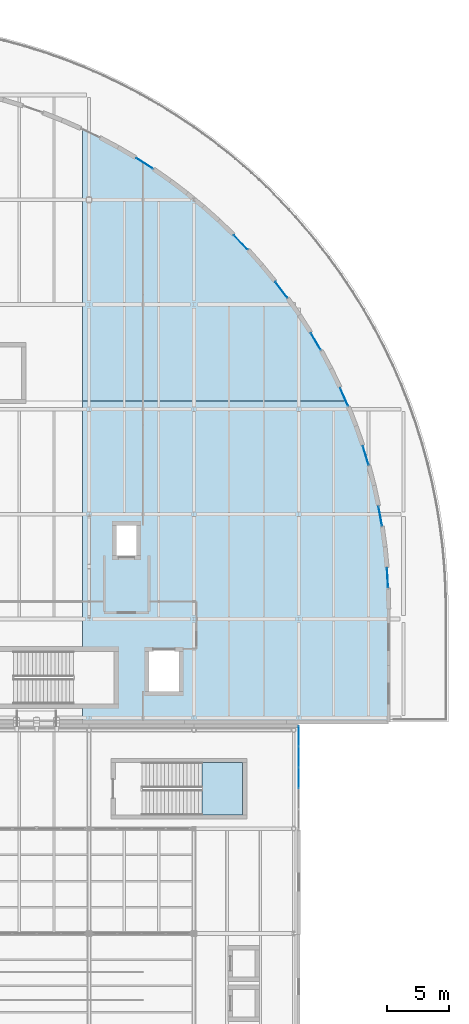
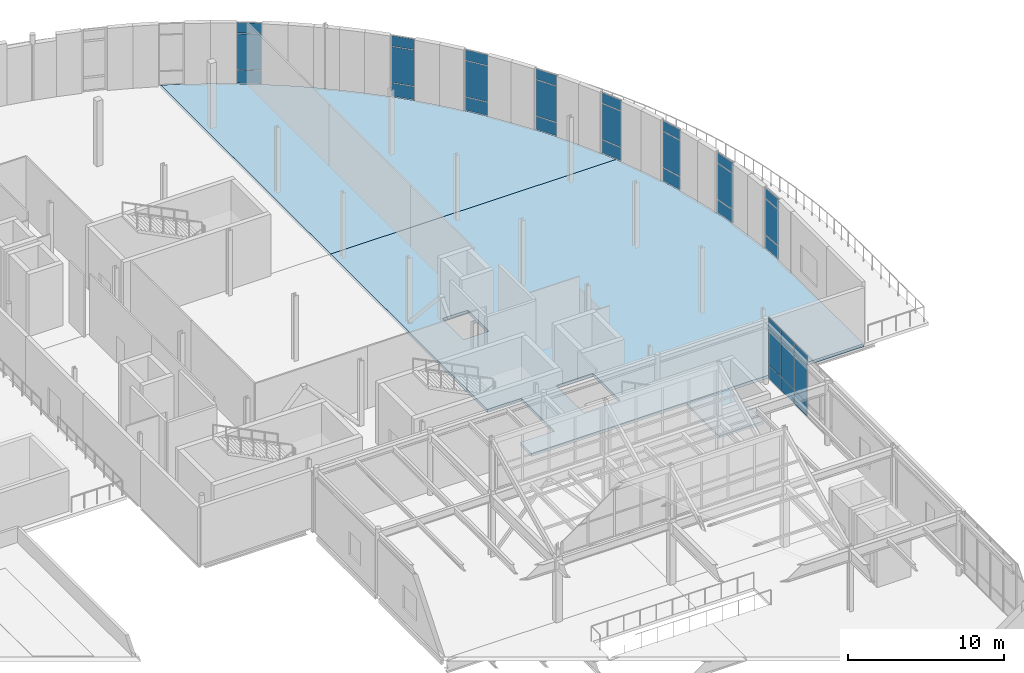
# One storey, part 64 of 91: 33 plates, 3 slabs, 10 elements without a shape of their own.
"""IFC4 building model written with IfcOpenShell, lengths in metres."""

import ifcopenshell
import ifcopenshell.guid

model = None  # the IFC model being written
_history = None  # IfcOwnerHistory: only IFC2X3 demands one
_inside = {}  # id of a spatial element -> (the spatial element, [elements in it])
_under = {}  # id of a project, library or spatial element -> (it, [spatial elements below it])
_declared = {}  # id of a project -> (the project, [libraries it declares])
_typed = {}  # id of a type object -> (the type object, [elements of that type])
_made_of = {}  # id of a material, layer set ... -> (it, [elements and type objects made of it])


def new_model(schema):
    """Start an empty IFC model of exactly this schema.

    Asked for "IFC4X3", IfcOpenShell would pick the latest addendum, in which some entities
    have other attributes; the version numbers below select the first issue.
    IFC2X3 requires an IfcOwnerHistory on every rooted entity: one is made here for all.
    """
    global model, _history
    if schema == "IFC4X3":
        model = ifcopenshell.file(schema_version=(4, 3, 0, 0))
    else:
        model = ifcopenshell.file(schema=schema)
    _inside.clear()
    _under.clear()
    _declared.clear()
    _typed.clear()
    _made_of.clear()
    _history = None
    if model.schema == "IFC2X3":
        org = make("IfcOrganization", Name="unknown")
        user = make(
            "IfcPersonAndOrganization",
            ThePerson=make("IfcPerson", FamilyName="unknown"),
            TheOrganization=org,
        )
        app = make(
            "IfcApplication",
            ApplicationDeveloper=org,
            Version="unknown",
            ApplicationFullName="unknown",
            ApplicationIdentifier="unknown",
        )
        _history = make(
            "IfcOwnerHistory",
            OwningUser=user,
            OwningApplication=app,
            ChangeAction="ADDED",
            CreationDate=0,
        )
    return model


def make(cls, **values):
    """One entity of the class cls with the attributes given. An attribute that is None is left unset."""
    return model.create_entity(
        cls, **{name: value for name, value in values.items() if value is not None}
    )


def rooted(cls, **values):
    """An entity with a GlobalId (a new one), such as an element, a storey or a relation."""
    return make(cls, GlobalId=ifcopenshell.guid.new(), OwnerHistory=_history, **values)


def si_unit(unit_type, name, prefix=None):
    """IfcSIUnit, for example si_unit("LENGTHUNIT", "METRE", prefix="MILLI")."""
    return make("IfcSIUnit", UnitType=unit_type, Prefix=prefix, Name=name)


def assignment(units):
    """IfcUnitAssignment: the units of a project."""
    return None if units is None else make("IfcUnitAssignment", Units=units)


def point(xyz):
    """IfcCartesianPoint."""
    return None if xyz is None else make("IfcCartesianPoint", Coordinates=xyz)


def direction(xyz):
    """IfcDirection."""
    return None if xyz is None else make("IfcDirection", DirectionRatios=xyz)


def frame(location, z_axis=None, x_axis=None):
    """IfcAxis2Placement3D, a coordinate frame: its origin and axes. An axis left out is left unset."""
    return make(
        "IfcAxis2Placement3D",
        Location=point(location),
        Axis=direction(z_axis),
        RefDirection=direction(x_axis),
    )


def frame_2d(location, x_axis=None):
    """IfcAxis2Placement2D, a coordinate frame in the plane: its origin and x axis."""
    return make(
        "IfcAxis2Placement2D", Location=point(location), RefDirection=direction(x_axis)
    )


def origin():
    """The frame at (0, 0, 0) with its axes left unset."""
    return frame((0.0, 0.0, 0.0))


def origin_2d():
    """The frame at (0, 0) in the plane with its x axis left unset."""
    return frame_2d((0.0, 0.0))


def place(relative_to, where):
    """IfcLocalPlacement: puts the frame where relative to a parent placement (None: the world)."""
    return make(
        "IfcLocalPlacement", PlacementRelTo=relative_to, RelativePlacement=where
    )


def context(
    kind, dimensions, precision=None, world=None, true_north=None, identifier=None
):
    """IfcGeometricRepresentationContext, for example the 3D "Model" context."""
    return make(
        "IfcGeometricRepresentationContext",
        ContextIdentifier=identifier,
        ContextType=kind,
        CoordinateSpaceDimension=dimensions,
        Precision=precision,
        WorldCoordinateSystem=world,
        TrueNorth=true_north,
    )


def subcontext(parent, identifier, kind, view, scale=None):
    """IfcGeometricRepresentationSubContext, for example "Body" below "Model"."""
    return make(
        "IfcGeometricRepresentationSubContext",
        ContextIdentifier=identifier,
        ContextType=kind,
        ParentContext=parent,
        TargetScale=scale,
        TargetView=view,
    )


def project(units=None, contexts=None):
    """IfcProject with its units and contexts."""
    return rooted(
        "IfcProject",
        Name="project",
        RepresentationContexts=contexts,
        UnitsInContext=assignment(units),
    )


def spatial(cls, under=None, at=None, **own):
    """A site, building, storey or space (cls), placed at a placement, below another one or the project."""
    s = rooted(cls, ObjectPlacement=at, **own)
    if under is not None:
        _under.setdefault(under.id(), (under, []))[1].append(s)
    return s


def polyline(points):
    """IfcPolyline through the points."""
    return make("IfcPolyline", Points=[point(p) for p in points])


def profile(cls, at=None, kind="AREA", **sizes):
    """A parametric profile (cls). Its sizes go by their IFC names, for example OverallWidth=200.0."""
    return make(cls, ProfileType=kind, Position=at, **sizes)


def rectangle(**sizes):
    """IfcRectangleProfileDef."""
    return profile("IfcRectangleProfileDef", **sizes)


def outline(outer, holes=None, kind="AREA"):
    """IfcArbitraryClosedProfileDef: a profile drawn as a closed curve; with holes, ...WithVoids."""
    if holes is None:
        return make("IfcArbitraryClosedProfileDef", ProfileType=kind, OuterCurve=outer)
    return make(
        "IfcArbitraryProfileDefWithVoids",
        ProfileType=kind,
        OuterCurve=outer,
        InnerCurves=holes,
    )


def extrude(swept, where, along, depth):
    """IfcExtrudedAreaSolid: the profile swept, set in the frame where, extruded along a direction by depth."""
    return make(
        "IfcExtrudedAreaSolid",
        SweptArea=swept,
        Position=where,
        ExtrudedDirection=direction(along),
        Depth=depth,
    )


def shape(context_of_items, identifier, shape_type, items):
    """IfcShapeRepresentation: the items that make up one representation, for example the "Body"."""
    return make(
        "IfcShapeRepresentation",
        ContextOfItems=context_of_items,
        RepresentationIdentifier=identifier,
        RepresentationType=shape_type,
        Items=items,
    )


def material(Name=None, Category=None):
    """IfcMaterial."""
    return make("IfcMaterial", Name=Name, Category=Category)


def layer(
    of_material, thickness, ventilated=None, Name=None, Category=None, Priority=None
):
    """IfcMaterialLayer: one layer of a wall or slab, of a material (None: an air gap)."""
    return make(
        "IfcMaterialLayer",
        Material=of_material,
        LayerThickness=thickness,
        IsVentilated=ventilated,
        Name=Name,
        Category=Category,
        Priority=Priority,
    )


def layer_set(layers, Name=None):
    """IfcMaterialLayerSet."""
    return make("IfcMaterialLayerSet", MaterialLayers=layers, LayerSetName=Name)


def made_of(thing, what):
    """Note that an element or type object is made of a material, layer set ...; save() writes the relation."""
    if what is not None:
        _made_of.setdefault(what.id(), (what, []))[1].append(thing)
    return thing


def type_object(cls, material=None, **own):
    """A type object (cls), such as IfcWallType, which elements share."""
    return made_of(rooted(cls, **own), material)


def element(
    cls,
    number,
    at=None,
    inside=None,
    cuts=None,
    type_object=None,
    material=None,
    context=None,
    identifier="Body",
    shape_type=None,
    held_by="IfcProductDefinitionShape",
    body=None,
    shapes=None,
    **own,
):
    """One element of the class cls, such as IfcWall. Its Tag is "e" and its number.

    at: its placement. inside: the storey or other place that contains it. cuts: it is an
    opening in that element (IfcRelVoidsElement). A single representation is given by context,
    identifier, shape_type and body (its items); several are given by shapes. held_by: the class
    of the entity that holds the representations. save() writes the other relations.
    """
    e = rooted(cls, Tag="e%d" % number, ObjectPlacement=at, **own)
    if body is not None:
        shapes = [shape(context, identifier, shape_type, body)]
    if shapes is not None:
        e.Representation = make(held_by, Representations=shapes)
    if inside is not None:
        _inside.setdefault(inside.id(), (inside, []))[1].append(e)
    if cuts is not None:
        rooted(
            "IfcRelVoidsElement", RelatingBuildingElement=cuts, RelatedOpeningElement=e
        )
    if type_object is not None:
        _typed.setdefault(type_object.id(), (type_object, []))[1].append(e)
    return made_of(e, material)


def aggregate(whole, parts):
    """IfcRelAggregates: a whole, such as a stair, and the parts it consists of."""
    return rooted("IfcRelAggregates", RelatingObject=whole, RelatedObjects=parts)


def save(model, path):
    """Write the relations noted so far, then the file.

    IfcRelAggregates (storeys below a building ...), IfcRelContainedInSpatialStructure (elements
    in a storey), IfcRelDefinesByType, IfcRelAssociatesMaterial and IfcRelDeclares: one each for
    every whole, place, type object, material and project.
    """
    for whole, parts in _under.values():
        aggregate(whole, parts)
    for where, things in _inside.values():
        rooted(
            "IfcRelContainedInSpatialStructure",
            RelatedElements=things,
            RelatingStructure=where,
        )
    for kind, things in _typed.values():
        rooted("IfcRelDefinesByType", RelatedObjects=things, RelatingType=kind)
    for what, things in _made_of.values():
        rooted("IfcRelAssociatesMaterial", RelatedObjects=things, RelatingMaterial=what)
    for by, libraries in _declared.values():
        rooted("IfcRelDeclares", RelatingContext=by, RelatedDefinitions=libraries)
    model.write(path)


model = new_model("IFC4")

# Units and contexts
model_context = context("Model", 3, precision=1e-05, world=origin(), true_north=direction((0.0, 1.0)))
body_context = subcontext(model_context, "Body", "Model", "MODEL_VIEW")
ifc_project = project(units=[si_unit("LENGTHUNIT", "METRE"), si_unit("AREAUNIT", "SQUARE_METRE"), si_unit("VOLUMEUNIT", "CUBIC_METRE"), si_unit("PLANEANGLEUNIT", "RADIAN"), si_unit("MASSUNIT", "GRAM", prefix="KILO"), si_unit("THERMODYNAMICTEMPERATUREUNIT", "KELVIN")], contexts=[model_context])

# Site, building, storey
site_placement = place(None, origin())
site = spatial("IfcSite", under=ifc_project, at=site_placement, CompositionType="ELEMENT")
building_placement = place(site_placement, origin())
building = spatial("IfcBuilding", under=site, at=building_placement, Name="Lustrewick Department Store", CompositionType="ELEMENT")
storey_placement = place(building_placement, frame((0.0, 0.0, 21.60009765625)))
storey = spatial("IfcBuildingStorey", under=building, at=storey_placement, Name="L05", CompositionType="ELEMENT", Elevation=21.60009765625)

# Curtain wall, plates
ifc_material_1 = material(Name="Thermally broken aluminium 6063-T5", Category="aluminium")
ifc_layer_1 = layer(ifc_material_1, 0.199951171875, Name="Thermally broken aluminium 6063-T5")
ifc_layer_set_1 = layer_set([ifc_layer_1], Name="Thermally broken aluminium 6063-T5")
curtain_wall_type_1 = type_object("IfcCurtainWallType", Name="CW01", PredefinedType="NOTDEFINED", material=ifc_layer_set_1)
curtain_wall_1_placement = place(storey_placement, origin())
curtain_wall_1 = element("IfcCurtainWall", 1, at=curtain_wall_1_placement, inside=storey, type_object=curtain_wall_type_1, Name="L05 V4 Curtain Wall CW01", PredefinedType="NOTDEFINED")
ifc_material_2 = material(Name="Low-E laminated safety glass", Category="glass")
ifc_layer_2 = layer(ifc_material_2, 0.02392578125, Name="Low-E laminated safety glass")
ifc_layer_set_2 = layer_set([ifc_layer_2], Name="Low-E laminated safety glass")
plate_type_1 = type_object("IfcPlateType", Name="CP01", PredefinedType="CURTAIN_PANEL", material=ifc_layer_set_2)
plate_1_placement = place(storey_placement, frame((158.318359375, 62.095703125, 0.06982421875), z_axis=(0.0, 0.0, 1.0), x_axis=(-0.058859332225, 0.998266286624, 0.0)))
plate_1 = element("IfcPlate", 2, at=plate_1_placement, type_object=plate_type_1, Name="CW01 panel 1.1", PredefinedType="CURTAIN_PANEL", context=body_context, shape_type="SweptSolid", body=[
    extrude(rectangle(XDim=1.52490234375, YDim=0.02392578125, at=origin_2d()), origin(), (0.0, 0.0, 1.0), 0.9951171875),
])
plate_2_placement = place(storey_placement, frame((158.318359375, 62.095703125, 1.135009765625), z_axis=(0.0, 0.0, 1.0), x_axis=(-0.058859332225, 0.998266286624, 0.0)))
plate_2 = element("IfcPlate", 3, at=plate_2_placement, type_object=plate_type_1, Name="CW01 panel 1.2", PredefinedType="CURTAIN_PANEL", context=body_context, shape_type="SweptSolid", body=[
    extrude(rectangle(XDim=1.52490234375, YDim=0.02392578125, at=origin_2d()), origin(), (0.0, 0.0, 1.0), 2.77490234375),
])
plate_3_placement = place(storey_placement, frame((158.318359375, 62.095703125, 3.97998046875), z_axis=(0.0, 0.0, 1.0), x_axis=(-0.058859332225, 0.998266286624, 0.0)))
plate_3 = element("IfcPlate", 4, at=plate_3_placement, type_object=plate_type_1, Name="CW01 panel 1.3", PredefinedType="CURTAIN_PANEL", context=body_context, shape_type="SweptSolid", body=[
    extrude(rectangle(XDim=1.52490234375, YDim=0.02392578125, at=origin_2d()), origin(), (0.0, 0.0, 1.0), 0.794921875),
])
aggregate(curtain_wall_1, [plate_1, plate_2, plate_3])

ifc_layer_3 = layer(ifc_material_1, 0.139892578125, Name="Thermally broken aluminium 6063-T5")
ifc_layer_set_3 = layer_set([ifc_layer_3], Name="Thermally broken aluminium 6063-T5")
curtain_wall_type_2 = type_object("IfcCurtainWallType", Name="CW06", PredefinedType="NOTDEFINED", material=ifc_layer_set_3)
curtain_wall_2_placement = place(storey_placement, origin())
curtain_wall_2 = element("IfcCurtainWall", 5, at=curtain_wall_2_placement, inside=storey, type_object=curtain_wall_type_2, Name="L05 V4 Curtain Wall CW06", PredefinedType="NOTDEFINED")
plate_4_placement = place(storey_placement, frame((149.7998046875, 85.185791015625, 0.054931640625), z_axis=(0.0, 0.0, 1.0), x_axis=(-0.603559299903, 0.79731811186, 0.0)))
plate_4 = element("IfcPlate", 6, at=plate_4_placement, type_object=plate_type_1, Name="CW06 panel 1.1", PredefinedType="CURTAIN_PANEL", context=body_context, shape_type="SweptSolid", body=[
    extrude(rectangle(XDim=1.554931640625, YDim=0.02392578125, at=origin_2d()), origin(), (0.0, 0.0, 1.0), 1.017578125),
])
plate_5_placement = place(storey_placement, frame((149.7998046875, 85.185791015625, 1.12744140625), z_axis=(0.0, 0.0, 1.0), x_axis=(-0.603559299903, 0.79731811186, 0.0)))
plate_5 = element("IfcPlate", 7, at=plate_5_placement, type_object=plate_type_1, Name="CW06 panel 1.2", PredefinedType="CURTAIN_PANEL", context=body_context, shape_type="SweptSolid", body=[
    extrude(rectangle(XDim=1.554931640625, YDim=0.02392578125, at=origin_2d()), origin(), (0.0, 0.0, 1.0), 2.7900390625),
])
plate_6_placement = place(storey_placement, frame((149.7998046875, 85.185791015625, 3.972412109375), z_axis=(0.0, 0.0, 1.0), x_axis=(-0.603559299903, 0.79731811186, 0.0)))
plate_6 = element("IfcPlate", 8, at=plate_6_placement, type_object=plate_type_1, Name="CW06 panel 1.3", PredefinedType="CURTAIN_PANEL", context=body_context, shape_type="SweptSolid", body=[
    extrude(rectangle(XDim=1.554931640625, YDim=0.02392578125, at=origin_2d()), origin(), (0.0, 0.0, 1.0), 0.8173828125),
])
aggregate(curtain_wall_2, [plate_4, plate_5, plate_6])

ifc_layer_4 = layer(ifc_material_1, 0.179931640625, Name="Thermally broken aluminium 6063-T5")
ifc_layer_set_4 = layer_set([ifc_layer_4], Name="Thermally broken aluminium 6063-T5")
curtain_wall_type_3 = type_object("IfcCurtainWallType", Name="CW02", PredefinedType="NOTDEFINED", material=ifc_layer_set_4)
curtain_wall_3_placement = place(storey_placement, origin())
curtain_wall_3 = element("IfcCurtainWall", 9, at=curtain_wall_3_placement, inside=storey, type_object=curtain_wall_type_3, Name="L05 V4 Curtain Wall CW02", PredefinedType="NOTDEFINED")
ifc_layer_5 = layer(ifc_material_2, 0.02587890625, Name="Low-E laminated safety glass")
ifc_layer_set_5 = layer_set([ifc_layer_5], Name="Low-E laminated safety glass")
plate_type_2 = type_object("IfcPlateType", Name="CP02", PredefinedType="CURTAIN_PANEL", material=ifc_layer_set_5)
plate_7_placement = place(storey_placement, frame((157.731689453125, 67.05224609375, 0.06494140625), z_axis=(0.0, 0.0, 1.0), x_axis=(-0.175803111289, 0.98442534814, 0.0)))
plate_7 = element("IfcPlate", 10, at=plate_7_placement, type_object=plate_type_2, Name="CW02 panel 1.1", PredefinedType="CURTAIN_PANEL", context=body_context, shape_type="SweptSolid", body=[
    extrude(rectangle(XDim=1.534912109375, YDim=0.02587890625, at=origin_2d()), origin(), (0.0, 0.0, 1.0), 1.00244140625),
])
plate_8_placement = place(storey_placement, frame((157.731689453125, 67.05224609375, 1.13232421875), z_axis=(0.0, 0.0, 1.0), x_axis=(-0.175803111289, 0.98442534814, 0.0)))
plate_8 = element("IfcPlate", 11, at=plate_8_placement, type_object=plate_type_2, Name="CW02 panel 1.2", PredefinedType="CURTAIN_PANEL", context=body_context, shape_type="SweptSolid", body=[
    extrude(rectangle(XDim=1.534912109375, YDim=0.02587890625, at=origin_2d()), origin(), (0.0, 0.0, 1.0), 2.780029296875),
])
plate_9_placement = place(storey_placement, frame((157.731689453125, 67.05224609375, 3.9775390625), z_axis=(0.0, 0.0, 1.0), x_axis=(-0.175803111289, 0.98442534814, 0.0)))
plate_9 = element("IfcPlate", 12, at=plate_9_placement, type_object=plate_type_2, Name="CW02 panel 1.3", PredefinedType="CURTAIN_PANEL", context=body_context, shape_type="SweptSolid", body=[
    extrude(rectangle(XDim=1.534912109375, YDim=0.02587890625, at=origin_2d()), origin(), (0.0, 0.0, 1.0), 0.802490234375),
])
aggregate(curtain_wall_3, [plate_7, plate_8, plate_9])

ifc_layer_6 = layer(ifc_material_1, 0.1298828125, Name="Thermally broken aluminium 6063-T5")
ifc_layer_set_6 = layer_set([ifc_layer_6], Name="Thermally broken aluminium 6063-T5")
curtain_wall_type_4 = type_object("IfcCurtainWallType", Name="CW07", PredefinedType="NOTDEFINED", material=ifc_layer_set_6)
curtain_wall_4_placement = place(storey_placement, origin())
curtain_wall_4 = element("IfcCurtainWall", 13, at=curtain_wall_4_placement, inside=storey, type_object=curtain_wall_type_4, Name="L05 V4 Curtain Wall CW07", PredefinedType="NOTDEFINED")
plate_10_placement = place(storey_placement, frame((146.558349609375, 88.981201171875, 0.054931640625), z_axis=(0.0, 0.0, 1.0), x_axis=(-0.693126721081, 0.720815752134, 0.0)))
plate_10 = element("IfcPlate", 14, at=plate_10_placement, type_object=plate_type_2, Name="CW07 panel 1.1", PredefinedType="CURTAIN_PANEL", context=body_context, shape_type="SweptSolid", body=[
    extrude(rectangle(XDim=1.554931640625, YDim=0.02587890625, at=origin_2d()), origin(), (0.0, 0.0, 1.0), 1.017578125),
])
plate_11_placement = place(storey_placement, frame((146.558349609375, 88.981201171875, 1.12744140625), z_axis=(0.0, 0.0, 1.0), x_axis=(-0.693126721081, 0.720815752134, 0.0)))
plate_11 = element("IfcPlate", 15, at=plate_11_placement, type_object=plate_type_2, Name="CW07 panel 1.2", PredefinedType="CURTAIN_PANEL", context=body_context, shape_type="SweptSolid", body=[
    extrude(rectangle(XDim=1.554931640625, YDim=0.02587890625, at=origin_2d()), origin(), (0.0, 0.0, 1.0), 2.7900390625),
])
plate_12_placement = place(storey_placement, frame((146.558349609375, 88.981201171875, 3.972412109375), z_axis=(0.0, 0.0, 1.0), x_axis=(-0.693126721081, 0.720815752134, 0.0)))
plate_12 = element("IfcPlate", 16, at=plate_12_placement, type_object=plate_type_2, Name="CW07 panel 1.3", PredefinedType="CURTAIN_PANEL", context=body_context, shape_type="SweptSolid", body=[
    extrude(rectangle(XDim=1.554931640625, YDim=0.02587890625, at=origin_2d()), origin(), (0.0, 0.0, 1.0), 0.8173828125),
])
aggregate(curtain_wall_4, [plate_10, plate_11, plate_12])

ifc_layer_7 = layer(ifc_material_1, 0.169921875, Name="Thermally broken aluminium 6063-T5")
ifc_layer_set_7 = layer_set([ifc_layer_7], Name="Thermally broken aluminium 6063-T5")
curtain_wall_type_5 = type_object("IfcCurtainWallType", Name="CW03", PredefinedType="NOTDEFINED", material=ifc_layer_set_7)
curtain_wall_5_placement = place(storey_placement, origin())
curtain_wall_5 = element("IfcCurtainWall", 17, at=curtain_wall_5_placement, inside=storey, type_object=curtain_wall_type_5, Name="L05 V4 Curtain Wall CW03", PredefinedType="NOTDEFINED")
ifc_layer_8 = layer(ifc_material_2, 0.028076171875, Name="Low-E laminated safety glass")
ifc_layer_set_8 = layer_set([ifc_layer_8], Name="Low-E laminated safety glass")
plate_type_3 = type_object("IfcPlateType", Name="CP03", PredefinedType="CURTAIN_PANEL", material=ifc_layer_set_8)
plate_13_placement = place(storey_placement, frame((156.56640625, 71.90576171875, 0.06494140625), z_axis=(0.0, 0.0, 1.0), x_axis=(-0.290289112487, 0.956938990308, 0.0)))
plate_13 = element("IfcPlate", 18, at=plate_13_placement, type_object=plate_type_3, Name="CW03 panel 1.1", PredefinedType="CURTAIN_PANEL", context=body_context, shape_type="SweptSolid", body=[
    extrude(rectangle(XDim=1.534912109375, YDim=0.028076171875, at=origin_2d()), origin(), (0.0, 0.0, 1.0), 1.00244140625),
])
plate_14_placement = place(storey_placement, frame((156.56640625, 71.90576171875, 1.13232421875), z_axis=(0.0, 0.0, 1.0), x_axis=(-0.290289112487, 0.956938990308, 0.0)))
plate_14 = element("IfcPlate", 19, at=plate_14_placement, type_object=plate_type_3, Name="CW03 panel 1.2", PredefinedType="CURTAIN_PANEL", context=body_context, shape_type="SweptSolid", body=[
    extrude(rectangle(XDim=1.534912109375, YDim=0.028076171875, at=origin_2d()), origin(), (0.0, 0.0, 1.0), 2.780029296875),
])
plate_15_placement = place(storey_placement, frame((156.56640625, 71.90576171875, 3.9775390625), z_axis=(0.0, 0.0, 1.0), x_axis=(-0.290289112487, 0.956938990308, 0.0)))
plate_15 = element("IfcPlate", 20, at=plate_15_placement, type_object=plate_type_3, Name="CW03 panel 1.3", PredefinedType="CURTAIN_PANEL", context=body_context, shape_type="SweptSolid", body=[
    extrude(rectangle(XDim=1.534912109375, YDim=0.028076171875, at=origin_2d()), origin(), (0.0, 0.0, 1.0), 0.802490234375),
])
aggregate(curtain_wall_5, [plate_13, plate_14, plate_15])

ifc_layer_9 = layer(ifc_material_1, 0.1201171875, Name="Thermally broken aluminium 6063-T5")
ifc_layer_set_9 = layer_set([ifc_layer_9], Name="Thermally broken aluminium 6063-T5")
curtain_wall_type_6 = type_object("IfcCurtainWallType", Name="CW08", PredefinedType="NOTDEFINED", material=ifc_layer_set_9)
curtain_wall_6_placement = place(storey_placement, origin())
curtain_wall_6 = element("IfcCurtainWall", 21, at=curtain_wall_6_placement, inside=storey, type_object=curtain_wall_type_6, Name="L05 V4 Curtain Wall CW08", PredefinedType="NOTDEFINED")
plate_16_placement = place(storey_placement, frame((138.85498046875, 95.302978515625, 0.050048828125), z_axis=(0.0, 0.0, 1.0), x_axis=(-0.842236493936, 0.539108234293, 0.0)))
plate_16 = element("IfcPlate", 22, at=plate_16_placement, type_object=plate_type_3, Name="CW08 panel 1.1", PredefinedType="CURTAIN_PANEL", context=body_context, shape_type="SweptSolid", body=[
    extrude(rectangle(XDim=1.56494140625, YDim=0.028076171875, at=origin_2d()), origin(), (0.0, 0.0, 1.0), 1.02490234375),
])
plate_17_placement = place(storey_placement, frame((138.85498046875, 95.302978515625, 1.125), z_axis=(0.0, 0.0, 1.0), x_axis=(-0.842236493936, 0.539108234293, 0.0)))
plate_17 = element("IfcPlate", 23, at=plate_17_placement, type_object=plate_type_3, Name="CW08 panel 1.2", PredefinedType="CURTAIN_PANEL", context=body_context, shape_type="SweptSolid", body=[
    extrude(rectangle(XDim=1.56494140625, YDim=0.028076171875, at=origin_2d()), origin(), (0.0, 0.0, 1.0), 2.794921875),
])
plate_18_placement = place(storey_placement, frame((138.85498046875, 95.302978515625, 3.9697265625), z_axis=(0.0, 0.0, 1.0), x_axis=(-0.842236493936, 0.539108234293, 0.0)))
plate_18 = element("IfcPlate", 24, at=plate_18_placement, type_object=plate_type_3, Name="CW08 panel 1.3", PredefinedType="CURTAIN_PANEL", context=body_context, shape_type="SweptSolid", body=[
    extrude(rectangle(XDim=1.56494140625, YDim=0.028076171875, at=origin_2d()), origin(), (0.0, 0.0, 1.0), 0.824951171875),
])
aggregate(curtain_wall_6, [plate_16, plate_17, plate_18])

ifc_layer_10 = layer(ifc_material_1, 0.159912109375, Name="Thermally broken aluminium 6063-T5")
ifc_layer_set_10 = layer_set([ifc_layer_10], Name="Thermally broken aluminium 6063-T5")
curtain_wall_type_7 = type_object("IfcCurtainWallType", Name="CW04", PredefinedType="NOTDEFINED", material=ifc_layer_set_10)
curtain_wall_7_placement = place(storey_placement, origin())
curtain_wall_7 = element("IfcCurtainWall", 25, at=curtain_wall_7_placement, inside=storey, type_object=curtain_wall_type_7, Name="L05 V4 Curtain Wall CW04", PredefinedType="NOTDEFINED")
ifc_material_3 = material(Name="Tinted ceramic spandrel safety glass", Category="glass")
ifc_layer_11 = layer(ifc_material_3, 0.030029296875, Name="Tinted ceramic spandrel safety glass")
ifc_layer_set_11 = layer_set([ifc_layer_11], Name="Tinted ceramic spandrel safety glass")
plate_type_4 = type_object("IfcPlateType", Name="CP04", PredefinedType="CURTAIN_PANEL", material=ifc_layer_set_11)
plate_19_placement = place(storey_placement, frame((154.8388671875, 76.58837890625, 0.06005859375), z_axis=(0.0, 0.0, 1.0), x_axis=(-0.400736911131, 0.916193171802, 0.0)))
plate_19 = element("IfcPlate", 26, at=plate_19_placement, type_object=plate_type_4, Name="CW04 panel 1.1", PredefinedType="CURTAIN_PANEL", context=body_context, shape_type="SweptSolid", body=[
    extrude(rectangle(XDim=1.544921875, YDim=0.030029296875, at=origin_2d()), origin(), (0.0, 0.0, 1.0), 1.010009765625),
])
plate_20_placement = place(storey_placement, frame((154.8388671875, 76.58837890625, 1.1298828125), z_axis=(0.0, 0.0, 1.0), x_axis=(-0.400736911131, 0.916193171802, 0.0)))
plate_20 = element("IfcPlate", 27, at=plate_20_placement, type_object=plate_type_4, Name="CW04 panel 1.2", PredefinedType="CURTAIN_PANEL", context=body_context, shape_type="SweptSolid", body=[
    extrude(rectangle(XDim=1.544921875, YDim=0.030029296875, at=origin_2d()), origin(), (0.0, 0.0, 1.0), 2.784912109375),
])
plate_21_placement = place(storey_placement, frame((154.8388671875, 76.58837890625, 3.974853515625), z_axis=(0.0, 0.0, 1.0), x_axis=(-0.400736911131, 0.916193171802, 0.0)))
plate_21 = element("IfcPlate", 28, at=plate_21_placement, type_object=plate_type_4, Name="CW04 panel 1.3", PredefinedType="CURTAIN_PANEL", context=body_context, shape_type="SweptSolid", body=[
    extrude(rectangle(XDim=1.544921875, YDim=0.030029296875, at=origin_2d()), origin(), (0.0, 0.0, 1.0), 0.81005859375),
])
aggregate(curtain_wall_7, [plate_19, plate_20, plate_21])

ifc_layer_12 = layer(ifc_material_1, 0.139892578125, Name="Thermally broken aluminium 6063-T5")
ifc_layer_set_12 = layer_set([ifc_layer_12], Name="Thermally broken aluminium 6063-T5")
curtain_wall_type_8 = type_object("IfcCurtainWallType", Name="CW15", PredefinedType="NOTDEFINED", material=ifc_layer_set_12)
curtain_wall_8_placement = place(storey_placement, origin())
curtain_wall_8 = element("IfcCurtainWall", 29, at=curtain_wall_8_placement, inside=storey, type_object=curtain_wall_type_8, Name="L05 V3 Curtain Wall CW15", PredefinedType="NOTDEFINED")
ifc_material_4 = material(Name="Low-E triple laminated safety glass", Category="glass")
ifc_layer_13 = layer(ifc_material_4, 0.031982421875, Name="Low-E triple laminated safety glass")
ifc_layer_set_13 = layer_set([ifc_layer_13], Name="Low-E triple laminated safety glass")
plate_type_5 = type_object("IfcPlateType", Name="CP05", PredefinedType="CURTAIN_PANEL", material=ifc_layer_set_13)
plate_22_placement = place(storey_placement, frame((151.199951171875, 46.06884765625, 0.054931640625), z_axis=(0.0, 0.0, 1.0), x_axis=(0.0, 1.0, 0.0)))
plate_22 = element("IfcPlate", 30, at=plate_22_placement, type_object=plate_type_5, Name="CW15 panel 3.1", PredefinedType="CURTAIN_PANEL", context=body_context, shape_type="SweptSolid", body=[
    extrude(rectangle(XDim=1.617431640625, YDim=0.031982421875, at=origin_2d()), origin(), (0.0, 0.0, 1.0), 1.017578125),
])
plate_23_placement = place(storey_placement, frame((151.199951171875, 46.06884765625, 1.12744140625), z_axis=(0.0, 0.0, 1.0), x_axis=(0.0, 1.0, 0.0)))
plate_23 = element("IfcPlate", 31, at=plate_23_placement, type_object=plate_type_5, Name="CW15 panel 3.2", PredefinedType="CURTAIN_PANEL", context=body_context, shape_type="SweptSolid", body=[
    extrude(rectangle(XDim=1.617431640625, YDim=0.031982421875, at=origin_2d()), origin(), (0.0, 0.0, 1.0), 2.7900390625),
])
plate_24_placement = place(storey_placement, frame((151.199951171875, 46.06884765625, 3.972412109375), z_axis=(0.0, 0.0, 1.0), x_axis=(0.0, 1.0, 0.0)))
plate_24 = element("IfcPlate", 32, at=plate_24_placement, type_object=plate_type_5, Name="CW15 panel 3.3", PredefinedType="CURTAIN_PANEL", context=body_context, shape_type="SweptSolid", body=[
    extrude(rectangle(XDim=1.617431640625, YDim=0.031982421875, at=origin_2d()), origin(), (0.0, 0.0, 1.0), 0.8173828125),
])
plate_25_placement = place(storey_placement, frame((151.199951171875, 47.7412109375, 0.054931640625), z_axis=(0.0, 0.0, 1.0), x_axis=(0.0, 1.0, 0.0)))
plate_25 = element("IfcPlate", 33, at=plate_25_placement, type_object=plate_type_5, Name="CW15 panel 4.1", PredefinedType="CURTAIN_PANEL", context=body_context, shape_type="SweptSolid", body=[
    extrude(rectangle(XDim=1.617431640625, YDim=0.031982421875, at=origin_2d()), origin(), (0.0, 0.0, 1.0), 1.017578125),
])
plate_26_placement = place(storey_placement, frame((151.199951171875, 47.7412109375, 1.12744140625), z_axis=(0.0, 0.0, 1.0), x_axis=(0.0, 1.0, 0.0)))
plate_26 = element("IfcPlate", 34, at=plate_26_placement, type_object=plate_type_5, Name="CW15 panel 4.2", PredefinedType="CURTAIN_PANEL", context=body_context, shape_type="SweptSolid", body=[
    extrude(rectangle(XDim=1.617431640625, YDim=0.031982421875, at=origin_2d()), origin(), (0.0, 0.0, 1.0), 2.7900390625),
])
plate_27_placement = place(storey_placement, frame((151.199951171875, 47.7412109375, 3.972412109375), z_axis=(0.0, 0.0, 1.0), x_axis=(0.0, 1.0, 0.0)))
plate_27 = element("IfcPlate", 35, at=plate_27_placement, type_object=plate_type_5, Name="CW15 panel 4.3", PredefinedType="CURTAIN_PANEL", context=body_context, shape_type="SweptSolid", body=[
    extrude(rectangle(XDim=1.617431640625, YDim=0.031982421875, at=origin_2d()), origin(), (0.0, 0.0, 1.0), 0.8173828125),
])
plate_28_placement = place(storey_placement, frame((151.199951171875, 49.39990234375, 0.054931640625), z_axis=(0.0, 0.0, 1.0), x_axis=(0.0, 1.0, 0.0)))
plate_28 = element("IfcPlate", 36, at=plate_28_placement, type_object=plate_type_5, Name="CW15 panel 5.1", PredefinedType="CURTAIN_PANEL", context=body_context, shape_type="SweptSolid", body=[
    extrude(rectangle(XDim=1.590087890625, YDim=0.031982421875, at=origin_2d()), origin(), (0.0, 0.0, 1.0), 1.017578125),
])
plate_29_placement = place(storey_placement, frame((151.199951171875, 49.39990234375, 1.12744140625), z_axis=(0.0, 0.0, 1.0), x_axis=(0.0, 1.0, 0.0)))
plate_29 = element("IfcPlate", 37, at=plate_29_placement, type_object=plate_type_5, Name="CW15 panel 5.2", PredefinedType="CURTAIN_PANEL", context=body_context, shape_type="SweptSolid", body=[
    extrude(rectangle(XDim=1.590087890625, YDim=0.031982421875, at=origin_2d()), origin(), (0.0, 0.0, 1.0), 2.7900390625),
])
plate_30_placement = place(storey_placement, frame((151.199951171875, 49.39990234375, 3.972412109375), z_axis=(0.0, 0.0, 1.0), x_axis=(0.0, 1.0, 0.0)))
plate_30 = element("IfcPlate", 38, at=plate_30_placement, type_object=plate_type_5, Name="CW15 panel 5.3", PredefinedType="CURTAIN_PANEL", context=body_context, shape_type="SweptSolid", body=[
    extrude(rectangle(XDim=1.590087890625, YDim=0.031982421875, at=origin_2d()), origin(), (0.0, 0.0, 1.0), 0.8173828125),
])
aggregate(curtain_wall_8, [plate_22, plate_23, plate_24, plate_25, plate_26, plate_27, plate_28, plate_29, plate_30])

ifc_layer_14 = layer(ifc_material_1, 0.14990234375, Name="Thermally broken aluminium 6063-T5")
ifc_layer_set_14 = layer_set([ifc_layer_14], Name="Thermally broken aluminium 6063-T5")
curtain_wall_type_9 = type_object("IfcCurtainWallType", Name="CW05", PredefinedType="NOTDEFINED", material=ifc_layer_set_14)
curtain_wall_9_placement = place(storey_placement, origin())
curtain_wall_9 = element("IfcCurtainWall", 39, at=curtain_wall_9_placement, inside=storey, type_object=curtain_wall_type_9, Name="L05 V4 Curtain Wall CW05", PredefinedType="NOTDEFINED")
plate_31_placement = place(storey_placement, frame((152.57275390625, 81.03564453125, 0.06005859375), z_axis=(0.0, 0.0, 1.0), x_axis=(-0.505662466226, 0.862731400988, 0.0)))
plate_31 = element("IfcPlate", 40, at=plate_31_placement, type_object=plate_type_5, Name="CW05 panel 1.1", PredefinedType="CURTAIN_PANEL", context=body_context, shape_type="SweptSolid", body=[
    extrude(rectangle(XDim=1.544921875, YDim=0.031982421875, at=origin_2d()), origin(), (0.0, 0.0, 1.0), 1.010009765625),
])
plate_32_placement = place(storey_placement, frame((152.57275390625, 81.03564453125, 1.1298828125), z_axis=(0.0, 0.0, 1.0), x_axis=(-0.505662466226, 0.862731400988, 0.0)))
plate_32 = element("IfcPlate", 41, at=plate_32_placement, type_object=plate_type_5, Name="CW05 panel 1.2", PredefinedType="CURTAIN_PANEL", context=body_context, shape_type="SweptSolid", body=[
    extrude(rectangle(XDim=1.544921875, YDim=0.031982421875, at=origin_2d()), origin(), (0.0, 0.0, 1.0), 2.784912109375),
])
plate_33_placement = place(storey_placement, frame((152.57275390625, 81.03564453125, 3.974853515625), z_axis=(0.0, 0.0, 1.0), x_axis=(-0.505662466226, 0.862731400988, 0.0)))
plate_33 = element("IfcPlate", 42, at=plate_33_placement, type_object=plate_type_5, Name="CW05 panel 1.3", PredefinedType="CURTAIN_PANEL", context=body_context, shape_type="SweptSolid", body=[
    extrude(rectangle(XDim=1.544921875, YDim=0.031982421875, at=origin_2d()), origin(), (0.0, 0.0, 1.0), 0.81005859375),
])
aggregate(curtain_wall_9, [plate_31, plate_32, plate_33])

# Slabs
ifc_material_5 = material(Name="Concrete C30", Category="concrete")
ifc_layer_15 = layer(ifc_material_5, 0.22998046875, Name="Concrete C30")
ifc_layer_set_15 = layer_set([ifc_layer_15], Name="Concrete C30")
slab_type_1 = type_object("IfcSlabType", Name="FS05", PredefinedType="FLOOR", material=ifc_layer_set_15)
slab_1_placement = place(storey_placement, frame((0.0, 0.0, -0.22998046875)))
element("IfcSlab", 43, at=slab_1_placement, inside=storey, type_object=slab_type_1, Name="L05 V4 Floor Slab FS05", PredefinedType="FLOOR", context=body_context, shape_type="SweptSolid", body=[
    extrude(outline(polyline([(155.172607421875, 75.82568359375), (154.97607421875, 76.27490234375), (133.875, 76.27490234375), (133.875, 56.199951171875), (136.39990234375, 56.199951171875), (136.39990234375, 52.0), (133.875, 52.0), (133.875, 50.550048828125), (158.39990234375, 50.550048828125), (158.39990234375, 59.60009765625), (158.3671875, 61.2646484375), (158.269287109375, 62.9267578125), (158.106201171875, 64.58349609375), (157.8779296875, 66.23291015625), (157.585205078125, 67.871826171875), (157.228515625, 69.498046875), (156.80810546875, 71.109130859375), (156.32470703125, 72.702392578125), (155.779296875, 74.275390625), (155.172607421875, 75.82568359375)]), holes=[polyline([(139.050048828125, 52.85009765625), (139.050048828125, 56.35009765625), (141.75, 56.35009765625), (141.75, 52.85009765625), (139.050048828125, 52.85009765625)]), polyline([(136.449951171875, 63.75), (136.449951171875, 66.449951171875), (138.35009765625, 66.449951171875), (138.35009765625, 63.75), (136.449951171875, 63.75)])]), origin(), (0.0, 0.0, 1.0), 0.22998046875),
])
slab_2_placement = place(storey_placement, frame((0.0, 0.0, -0.22998046875)))
element("IfcSlab", 44, at=slab_2_placement, inside=storey, type_object=slab_type_1, Name="L05 V4 Floor Slab FS05", PredefinedType="FLOOR", context=body_context, shape_type="SweptSolid", body=[
    extrude(outline(polyline([(135.249267578125, 97.378662109375), (133.875, 98.04541015625), (133.875, 76.27490234375), (154.97607421875, 76.27490234375), (154.50537109375, 77.351318359375), (153.77880859375, 78.84912109375), (152.993896484375, 80.3173828125), (152.15185546875, 81.75390625), (151.25439453125, 83.15625), (150.30224609375, 84.522216796875), (149.29736328125, 85.849609375), (148.2412109375, 87.13671875), (147.13525390625, 88.381103515625), (145.981201171875, 89.581298828125), (144.78125, 90.7353515625), (143.53662109375, 91.84130859375), (142.24951171875, 92.8974609375), (140.922119140625, 93.90234375), (139.55615234375, 94.854248046875), (138.15380859375, 95.751953125), (136.717529296875, 96.59375), (135.249267578125, 97.378662109375)])), origin(), (0.0, 0.0, 1.0), 0.22998046875),
])

# Stair, slab
stair_type = type_object("IfcStairType", Name="ST-H51", PredefinedType="HALF_TURN_STAIR", material=ifc_material_5)
stair_placement = place(storey_placement, origin())
stair = element("IfcStair", 45, at=stair_placement, inside=storey, type_object=stair_type, Name="L05 Smoke-Proof Exit Stair ST08", PredefinedType="HALF_TURN_STAIR")
ifc_layer_16 = layer(ifc_material_5, 0.199951171875, Name="Concrete C30")
ifc_layer_set_16 = layer_set([ifc_layer_16], Name="Concrete C30")
slab_type_2 = type_object("IfcSlabType", Name="LS01", PredefinedType="LANDING", material=ifc_layer_set_16)
slab_3_placement = place(storey_placement, frame((0.0, 0.0, 2.349853515625)))
slab_3 = element("IfcSlab", 46, at=slab_3_placement, type_object=slab_type_2, Name="ST-H51 landing 1", PredefinedType="LANDING", context=body_context, shape_type="SweptSolid", body=[
    extrude(outline(polyline([(143.449951171875, 43.10009765625), (146.699951171875, 43.10009765625), (146.699951171875, 47.300048828125), (143.449951171875, 47.300048828125), (143.449951171875, 43.10009765625)])), origin(), (0.0, 0.0, 1.0), 0.199951171875),
])
aggregate(stair, [slab_3])

save(model, "model.ifc")
